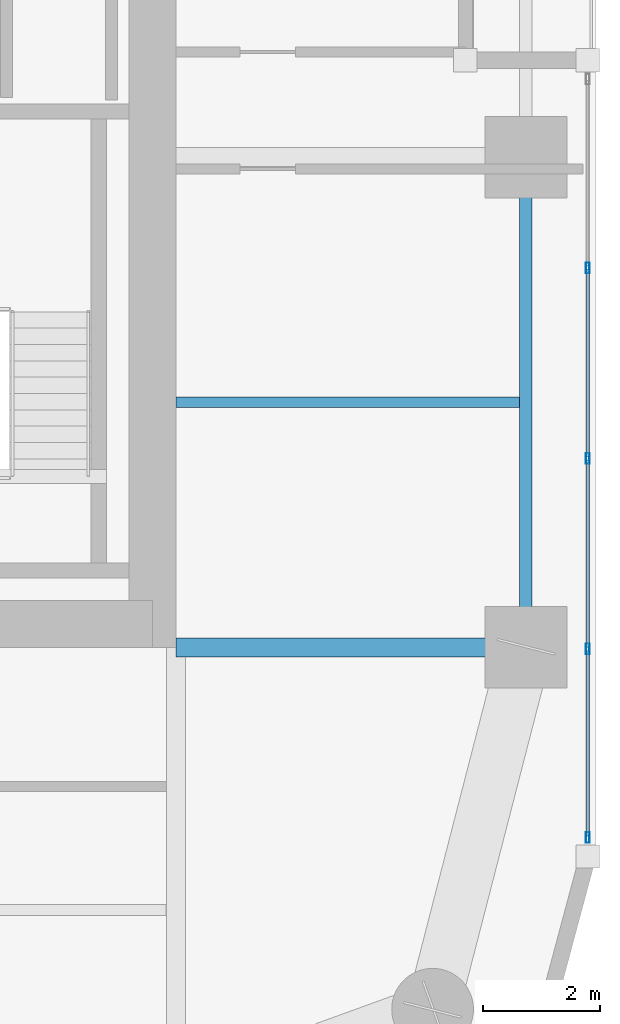
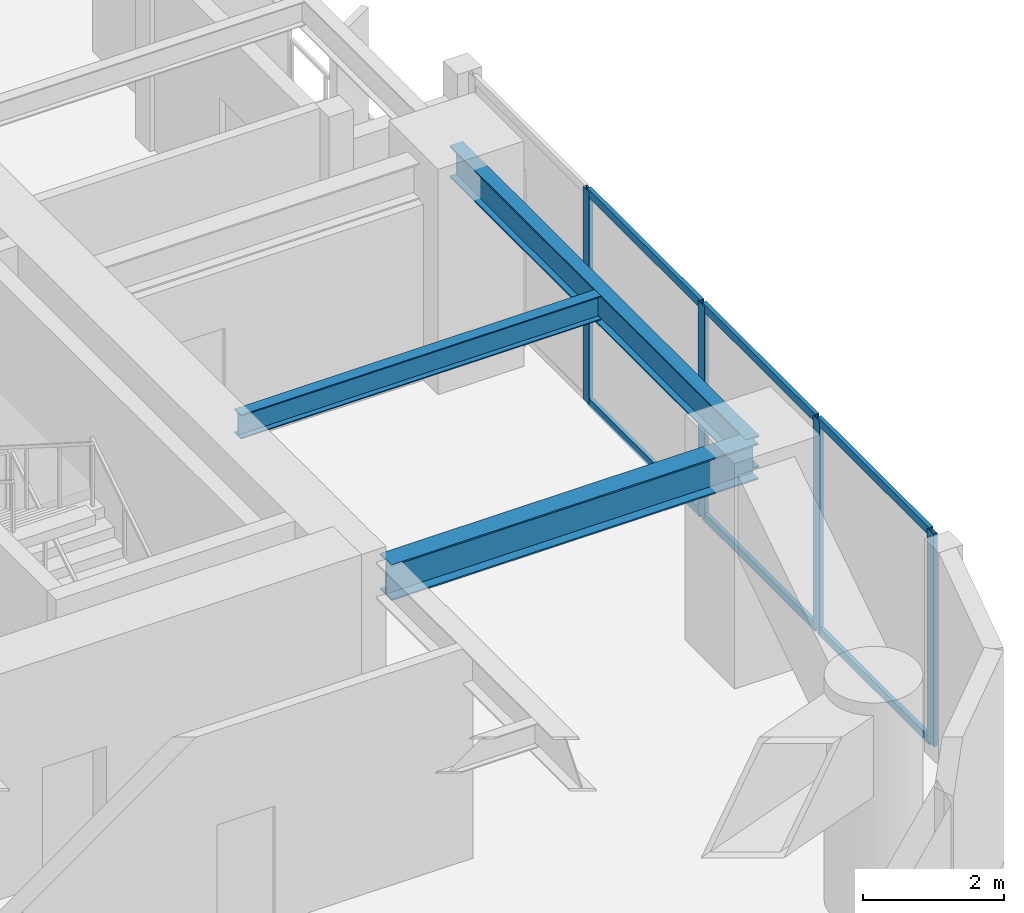
# One storey, part 9 of 30: 10 members, 3 beams, 1 element without a shape of its own.
"""IFC4 building model written with IfcOpenShell, lengths in metres."""

from ifc_helpers import new_model, si_unit, direction, frame, origin, origin_2d, place, context, subcontext, project, spatial, hollow_rectangle, i_section, extrude, material, layer, layer_set, material_profile, profile_set, type_object, element, aggregate, save


model = new_model("IFC4")

# Units and contexts
model_context = context("Model", 3, precision=1e-05, world=origin(), true_north=direction((0.0, 1.0)))
body_context = subcontext(model_context, "Body", "Model", "MODEL_VIEW")
ifc_project = project(units=[si_unit("LENGTHUNIT", "METRE"), si_unit("AREAUNIT", "SQUARE_METRE"), si_unit("VOLUMEUNIT", "CUBIC_METRE"), si_unit("PLANEANGLEUNIT", "RADIAN"), si_unit("MASSUNIT", "GRAM", prefix="KILO")], contexts=[model_context])

# Site, building, storey
site_placement = place(None, origin())
site = spatial("IfcSite", under=ifc_project, at=site_placement, CompositionType="ELEMENT")
building_placement = place(site_placement, origin())
building = spatial("IfcBuilding", under=site, at=building_placement, Name="Kiyonajd Concourse Tower", CompositionType="ELEMENT")
storey_placement = place(building_placement, frame((0.0, 0.0, 150.60009765625)))
storey = spatial("IfcBuildingStorey", under=building, at=storey_placement, Name="L38", CompositionType="ELEMENT", Elevation=150.60009765625)

# Beams
ifc_material_1 = material(Name="Steel ASTM A992 Grade 50", Category="steel")
ifc_material_profile_1 = material_profile(ifc_material_1, i_section(OverallWidth=0.180908203125, OverallDepth=0.4169921875, WebThickness=0.010986328125, FlangeThickness=0.018310546875, at=origin_2d()), Name="W410X85")
ifc_profile_set_1 = profile_set([ifc_material_profile_1], Name="Steel ASTM A992 Grade 50")
beam_type_1 = type_object("IfcBeamType", Name="BM-JST-410", PredefinedType="JOIST", material=ifc_profile_set_1)
beam_1_placement = place(storey_placement, frame((63.60009765625, 31.800048828125, 3.471435546875), z_axis=(1.0, 0.0, 0.0), x_axis=(0.0, 1.0, 0.0)))
element("IfcBeam", 1, at=beam_1_placement, inside=storey, type_object=beam_type_1, Name="L38 East Secondary Floor Joist", PredefinedType="JOIST", context=body_context, shape_type="SweptSolid", body=[
    extrude(i_section(OverallWidth=0.180908203125, OverallDepth=0.4169921875, WebThickness=0.010986328125, FlangeThickness=0.018310546875, at=origin_2d()), origin(), (0.0, 0.0, 1.0), 5.892822265625),
])
ifc_material_profile_2 = material_profile(ifc_material_1, i_section(OverallWidth=0.214111328125, OverallDepth=0.549072265625, WebThickness=0.0146484375, FlangeThickness=0.023681640625, at=origin_2d()), Name="W530X138")
ifc_profile_set_2 = profile_set([ifc_material_profile_2], Name="Steel ASTM A992 Grade 50")
beam_type_2 = type_object("IfcBeamType", Name="BM-SPAN-530A", PredefinedType="SPANDREL", material=ifc_profile_set_2)
beam_2_placement = place(storey_placement, frame((69.60009765625, 27.60009765625, 3.405517578125), z_axis=(0.0, 1.0, 0.0), x_axis=(-1.0, 0.0, 0.0)))
element("IfcBeam", 2, at=beam_2_placement, inside=storey, type_object=beam_type_2, Name="L38 Perimeter Bundled Tube Spandrel", PredefinedType="SPANDREL", context=body_context, shape_type="SweptSolid", body=[
    extrude(i_section(OverallWidth=0.214111328125, OverallDepth=0.549072265625, WebThickness=0.0146484375, FlangeThickness=0.023681640625, at=origin_2d()), origin(), (0.0, 0.0, 1.0), 8.39990234375),
])
ifc_material_profile_3 = material_profile(ifc_material_1, i_section(OverallWidth=0.326904296875, OverallDepth=0.6220703125, WebThickness=0.015380859375, FlangeThickness=0.0244140625, at=origin_2d()), Name="W610X195")
ifc_profile_set_3 = profile_set([ifc_material_profile_3], Name="Steel ASTM A992 Grade 50")
beam_type_3 = type_object("IfcBeamType", Name="BM-TWR-610A", PredefinedType="BEAM", material=ifc_profile_set_3)
beam_3_placement = place(storey_placement, frame((63.60009765625, 27.60009765625, 3.368896484375), z_axis=(1.0, 0.0, 0.0), x_axis=(0.0, 1.0, 0.0)))
element("IfcBeam", 3, at=beam_3_placement, inside=storey, type_object=beam_type_3, Name="L38 East Lease Girder", PredefinedType="BEAM", context=body_context, shape_type="SweptSolid", body=[
    extrude(i_section(OverallWidth=0.326904296875, OverallDepth=0.6220703125, WebThickness=0.015380859375, FlangeThickness=0.0244140625, at=origin_2d()), origin(), (0.0, 0.0, 1.0), 6.0),
])

# Curtain wall, members
ifc_material_2 = material(Name="Thermally Broken Anodised Aluminium", Category="aluminium")
ifc_layer = layer(ifc_material_2, 0.179931640625)
ifc_layer_set = layer_set([ifc_layer], Name="Thermally Broken Anodised Aluminium")
curtain_wall_type = type_object("IfcCurtainWallType", Name="CW-SYS-03", PredefinedType="NOTDEFINED", material=ifc_layer_set)
curtain_wall_placement = place(storey_placement, origin())
curtain_wall = element("IfcCurtainWall", 4, at=curtain_wall_placement, inside=storey, type_object=curtain_wall_type, Name="L38 Unitised Curtain Wall CW3", PredefinedType="NOTDEFINED")
ifc_material_profile_4 = material_profile(ifc_material_2, hollow_rectangle(XDim=0.06494140625, YDim=0.179931640625, WallThickness=0.00390625, at=origin_2d()), Name="MULL-65x180")
ifc_profile_set_4 = profile_set([ifc_material_profile_4], Name="Thermally Broken Anodised Aluminium")
member_type_1 = type_object("IfcMemberType", Name="MB-CW-MULL1", PredefinedType="MULLION", material=ifc_profile_set_4)
member_1_placement = place(storey_placement, frame((70.659912109375, 34.1044921875, 0.0), z_axis=(0.0, 0.0, 1.0), x_axis=(1.0, 0.0, 0.0)))
member_1 = element("IfcMember", 5, at=member_1_placement, type_object=member_type_1, Name="CW3 mullion 2", PredefinedType="MULLION", context=body_context, shape_type="SweptSolid", body=[
    extrude(hollow_rectangle(XDim=0.06494140625, YDim=0.179931640625, WallThickness=0.00390625, at=origin_2d()), origin(), (0.0, 0.0, 1.0), 3.679931640625),
])
member_2_placement = place(storey_placement, frame((70.659912109375, 30.839111328125, 0.0), z_axis=(0.0, 0.0, 1.0), x_axis=(1.0, 0.0, 0.0)))
member_2 = element("IfcMember", 6, at=member_2_placement, type_object=member_type_1, Name="CW3 mullion 3", PredefinedType="MULLION", context=body_context, shape_type="SweptSolid", body=[
    extrude(hollow_rectangle(XDim=0.06494140625, YDim=0.179931640625, WallThickness=0.00390625, at=origin_2d()), origin(), (0.0, 0.0, 1.0), 3.679931640625),
])
member_3_placement = place(storey_placement, frame((70.659912109375, 27.57373046875, 0.0), z_axis=(0.0, 0.0, 1.0), x_axis=(1.0, 0.0, 0.0)))
member_3 = element("IfcMember", 7, at=member_3_placement, type_object=member_type_1, Name="CW3 mullion 4", PredefinedType="MULLION", context=body_context, shape_type="SweptSolid", body=[
    extrude(hollow_rectangle(XDim=0.06494140625, YDim=0.179931640625, WallThickness=0.00390625, at=origin_2d()), origin(), (0.0, 0.0, 1.0), 3.679931640625),
])
member_4_placement = place(storey_placement, frame((70.659912109375, 24.3408203125, 0.0), z_axis=(0.0, 0.0, 1.0), x_axis=(1.0, 0.0, 0.0)))
member_4 = element("IfcMember", 8, at=member_4_placement, type_object=member_type_1, Name="CW3 mullion 5", PredefinedType="MULLION", context=body_context, shape_type="SweptSolid", body=[
    extrude(hollow_rectangle(XDim=0.06494140625, YDim=0.179931640625, WallThickness=0.00390625, at=origin_2d()), origin(), (0.0, 0.0, 1.0), 3.679931640625),
])
ifc_material_profile_5 = material_profile(ifc_material_2, hollow_rectangle(XDim=0.06494140625, YDim=0.139892578125, WallThickness=0.00390625, at=origin_2d()), Name="TRAN-65x140")
ifc_profile_set_5 = profile_set([ifc_material_profile_5], Name="Thermally Broken Anodised Aluminium")
member_type_2 = type_object("IfcMemberType", Name="MB-CW-TRAN1", PredefinedType="USERDEFINED", material=ifc_profile_set_5)
member_5_placement = place(storey_placement, frame((70.659912109375, 34.072021484375, 0.032470703125), z_axis=(0.0, -1.0, 0.0), x_axis=(1.0, 0.0, 0.0)))
member_5 = element("IfcMember", 9, at=member_5_placement, type_object=member_type_2, Name="CW3 transom 2.1", ObjectType="TRANSOM", PredefinedType="USERDEFINED", context=body_context, shape_type="SweptSolid", body=[
    extrude(hollow_rectangle(XDim=0.06494140625, YDim=0.139892578125, WallThickness=0.00390625, at=origin_2d()), origin(), (0.0, 0.0, 1.0), 3.200439453125),
])
member_6_placement = place(storey_placement, frame((70.659912109375, 34.072021484375, 3.6474609375), z_axis=(0.0, -1.0, 0.0), x_axis=(1.0, 0.0, 0.0)))
member_6 = element("IfcMember", 10, at=member_6_placement, type_object=member_type_2, Name="CW3 transom 2.2", ObjectType="TRANSOM", PredefinedType="USERDEFINED", context=body_context, shape_type="SweptSolid", body=[
    extrude(hollow_rectangle(XDim=0.06494140625, YDim=0.139892578125, WallThickness=0.00390625, at=origin_2d()), origin(), (0.0, 0.0, 1.0), 3.200439453125),
])
member_7_placement = place(storey_placement, frame((70.659912109375, 30.806640625, 0.032470703125), z_axis=(0.0, -1.0, 0.0), x_axis=(1.0, 0.0, 0.0)))
member_7 = element("IfcMember", 11, at=member_7_placement, type_object=member_type_2, Name="CW3 transom 3.1", ObjectType="TRANSOM", PredefinedType="USERDEFINED", context=body_context, shape_type="SweptSolid", body=[
    extrude(hollow_rectangle(XDim=0.06494140625, YDim=0.139892578125, WallThickness=0.00390625, at=origin_2d()), origin(), (0.0, 0.0, 1.0), 3.200439453125),
])
member_8_placement = place(storey_placement, frame((70.659912109375, 30.806640625, 3.6474609375), z_axis=(0.0, -1.0, 0.0), x_axis=(1.0, 0.0, 0.0)))
member_8 = element("IfcMember", 12, at=member_8_placement, type_object=member_type_2, Name="CW3 transom 3.2", ObjectType="TRANSOM", PredefinedType="USERDEFINED", context=body_context, shape_type="SweptSolid", body=[
    extrude(hollow_rectangle(XDim=0.06494140625, YDim=0.139892578125, WallThickness=0.00390625, at=origin_2d()), origin(), (0.0, 0.0, 1.0), 3.200439453125),
])
member_9_placement = place(storey_placement, frame((70.659912109375, 27.541259765625, 0.032470703125), z_axis=(0.0, -1.0, 0.0), x_axis=(1.0, 0.0, 0.0)))
member_9 = element("IfcMember", 13, at=member_9_placement, type_object=member_type_2, Name="CW3 transom 4.1", ObjectType="TRANSOM", PredefinedType="USERDEFINED", context=body_context, shape_type="SweptSolid", body=[
    extrude(hollow_rectangle(XDim=0.06494140625, YDim=0.139892578125, WallThickness=0.00390625, at=origin_2d()), origin(), (0.0, 0.0, 1.0), 3.16796875),
])
member_10_placement = place(storey_placement, frame((70.659912109375, 27.541259765625, 3.6474609375), z_axis=(0.0, -1.0, 0.0), x_axis=(1.0, 0.0, 0.0)))
member_10 = element("IfcMember", 14, at=member_10_placement, type_object=member_type_2, Name="CW3 transom 4.2", ObjectType="TRANSOM", PredefinedType="USERDEFINED", context=body_context, shape_type="SweptSolid", body=[
    extrude(hollow_rectangle(XDim=0.06494140625, YDim=0.139892578125, WallThickness=0.00390625, at=origin_2d()), origin(), (0.0, 0.0, 1.0), 3.16796875),
])
aggregate(curtain_wall, [member_1, member_2, member_3, member_4, member_5, member_6, member_7, member_8, member_9, member_10])

save(model, "model.ifc")
